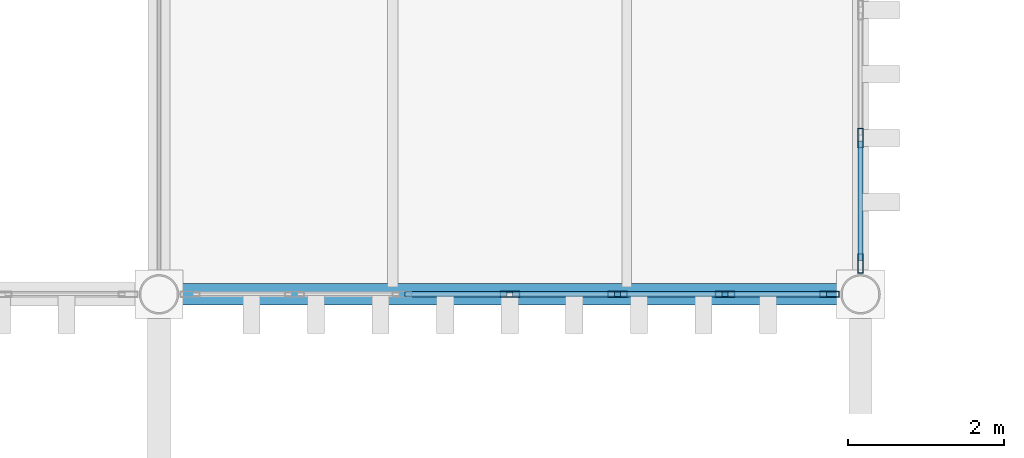
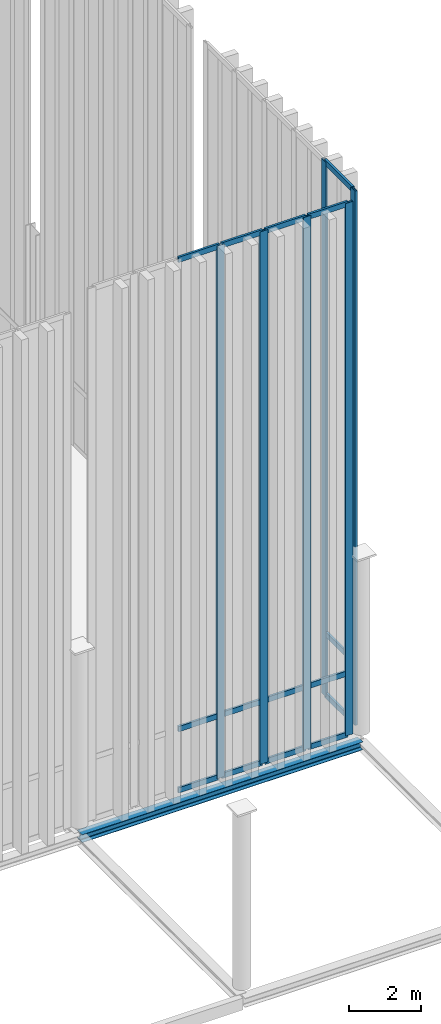
# One storey, part 47 of 237: 21 members, 1 beam, 2 elements without a shape of their own.
"""IFC4 building model written with IfcOpenShell, lengths in metres."""

from ifc_helpers import new_model, si_unit, direction, frame, origin, origin_2d, place, context, subcontext, project, spatial, hollow_rectangle, i_section, extrude, material, layer, layer_set, material_profile, profile_set, type_object, element, aggregate, save


model = new_model("IFC4")

# Units and contexts
model_context = context("Model", 3, precision=1e-05, world=origin(), true_north=direction((0.0, 1.0)))
body_context = subcontext(model_context, "Body", "Model", "MODEL_VIEW")
ifc_project = project(units=[si_unit("LENGTHUNIT", "METRE"), si_unit("AREAUNIT", "SQUARE_METRE"), si_unit("VOLUMEUNIT", "CUBIC_METRE"), si_unit("PLANEANGLEUNIT", "RADIAN"), si_unit("MASSUNIT", "GRAM", prefix="KILO")], contexts=[model_context])

# Site, building, storey
site_placement = place(None, origin())
site = spatial("IfcSite", under=ifc_project, at=site_placement, CompositionType="ELEMENT")
building_placement = place(site_placement, origin())
building = spatial("IfcBuilding", under=site, at=building_placement, Name="Barlavento Convention Centre", CompositionType="ELEMENT")
storey_placement = place(building_placement, frame((0.0, 0.0, 12.0)))
storey = spatial("IfcBuildingStorey", under=building, at=storey_placement, Name="L02", CompositionType="ELEMENT", Elevation=12.0)

# Curtain wall, members
ifc_material_1 = material(Name="Powder-coated aluminium and Low-E glass", Category="aluminium")
ifc_layer = layer(ifc_material_1, 0.18994140625)
ifc_layer_set = layer_set([ifc_layer], Name="ARC-CW-CONG-L02")
curtain_wall_type = type_object("IfcCurtainWallType", Name="ARC-CW-CONG-L02", PredefinedType="NOTDEFINED", material=ifc_layer_set)
curtain_wall_1_placement = place(storey_placement, origin())
curtain_wall_1 = element("IfcCurtainWall", 1, at=curtain_wall_1_placement, inside=storey, type_object=curtain_wall_type, Name="L02 unitised curtain wall CW02", PredefinedType="NOTDEFINED")
ifc_material_2 = material(Name="Powder-coated aluminium", Category="aluminium")
ifc_material_profile_1 = material_profile(ifc_material_2, hollow_rectangle(XDim=0.074951171875, YDim=0.25, WallThickness=0.006103515625, at=origin_2d()), Name="AL-MULL 75x250x6")
ifc_profile_set_1 = profile_set([ifc_material_profile_1], Name="Powder-coated aluminium")
member_type_1 = type_object("IfcMemberType", Name="ARC-CWM-75X250", PredefinedType="MULLION", material=ifc_profile_set_1)
member_1_placement = place(storey_placement, frame((58.5, 9.0, 0.0), z_axis=(0.0, 0.0, 1.0), x_axis=(0.0, 1.0, 0.0)))
member_1 = element("IfcMember", 2, at=member_1_placement, type_object=member_type_1, Name="CW02 mullion 4", PredefinedType="MULLION", context=body_context, shape_type="SweptSolid", body=[
    extrude(hollow_rectangle(XDim=0.074951171875, YDim=0.25, WallThickness=0.006103515625, at=origin_2d()), origin(), (0.0, 0.0, 1.0), 17.971923828125),
])
member_2_placement = place(storey_placement, frame((59.88037109375, 9.0, 0.0), z_axis=(0.0, 0.0, 1.0), x_axis=(0.0, 1.0, 0.0)))
member_2 = element("IfcMember", 3, at=member_2_placement, type_object=member_type_1, Name="CW02 mullion 5", PredefinedType="MULLION", context=body_context, shape_type="SweptSolid", body=[
    extrude(hollow_rectangle(XDim=0.074951171875, YDim=0.25, WallThickness=0.006103515625, at=origin_2d()), origin(), (0.0, 0.0, 1.0), 17.971923828125),
])
member_3_placement = place(storey_placement, frame((61.2607421875, 9.0, 0.0), z_axis=(0.0, 0.0, 1.0), x_axis=(0.0, 1.0, 0.0)))
member_3 = element("IfcMember", 4, at=member_3_placement, type_object=member_type_1, Name="CW02 mullion 6", PredefinedType="MULLION", context=body_context, shape_type="SweptSolid", body=[
    extrude(hollow_rectangle(XDim=0.074951171875, YDim=0.25, WallThickness=0.006103515625, at=origin_2d()), origin(), (0.0, 0.0, 1.0), 17.971923828125),
])
member_4_placement = place(storey_placement, frame((62.603515625, 9.0, 0.0), z_axis=(0.0, 0.0, 1.0), x_axis=(0.0, 1.0, 0.0)))
member_4 = element("IfcMember", 5, at=member_4_placement, type_object=member_type_1, Name="CW02 mullion 7", PredefinedType="MULLION", context=body_context, shape_type="SweptSolid", body=[
    extrude(hollow_rectangle(XDim=0.074951171875, YDim=0.25, WallThickness=0.006103515625, at=origin_2d()), origin(), (0.0, 0.0, 1.0), 17.971923828125),
])

curtain_wall_2_placement = place(storey_placement, origin())
curtain_wall_2 = element("IfcCurtainWall", 6, at=curtain_wall_2_placement, inside=storey, type_object=curtain_wall_type, Name="L02 unitised curtain wall CW02", PredefinedType="NOTDEFINED")
member_5_placement = place(storey_placement, frame((63.0, 9.396484375, 0.0), z_axis=(0.0, 0.0, 1.0), x_axis=(-1.0, 0.0, 0.0)))
member_5 = element("IfcMember", 7, at=member_5_placement, type_object=member_type_1, Name="CW02 mullion 1", PredefinedType="MULLION", context=body_context, shape_type="SweptSolid", body=[
    extrude(hollow_rectangle(XDim=0.074951171875, YDim=0.25, WallThickness=0.006103515625, at=origin_2d()), origin(), (0.0, 0.0, 1.0), 18.037109375),
])
member_6_placement = place(storey_placement, frame((63.0, 11.004150390625, 0.0), z_axis=(0.0, 0.0, 1.0), x_axis=(-1.0, 0.0, 0.0)))
member_6 = element("IfcMember", 8, at=member_6_placement, type_object=member_type_1, Name="CW02 mullion 2", PredefinedType="MULLION", context=body_context, shape_type="SweptSolid", body=[
    extrude(hollow_rectangle(XDim=0.074951171875, YDim=0.25, WallThickness=0.006103515625, at=origin_2d()), origin(), (0.0, 0.0, 1.0), 18.037109375),
])

# Member
ifc_material_profile_2 = material_profile(ifc_material_2, hollow_rectangle(XDim=0.070068359375, YDim=0.179931640625, WallThickness=0.0048828125, at=origin_2d()), Name="AL-TRAN 70x180x5")
ifc_profile_set_2 = profile_set([ifc_material_profile_2], Name="Powder-coated aluminium")
member_type_2 = type_object("IfcMemberType", Name="ARC-CWT-70X180", PredefinedType="USERDEFINED", material=ifc_profile_set_2)
member_7_placement = place(storey_placement, frame((57.1572265625, 9.0, 0.034912109375), z_axis=(1.0, 0.0, 0.0), x_axis=(0.0, 1.0, 0.0)))
member_7 = element("IfcMember", 9, at=member_7_placement, type_object=member_type_2, Name="CW02 transom 3.1", ObjectType="TRANSOM", PredefinedType="USERDEFINED", context=body_context, shape_type="SweptSolid", body=[
    extrude(hollow_rectangle(XDim=0.070068359375, YDim=0.179931640625, WallThickness=0.0048828125, at=origin_2d()), origin(), (0.0, 0.0, 1.0), 1.30517578125),
])

member_8_placement = place(storey_placement, frame((57.1572265625, 9.0, 2.10009765625), z_axis=(1.0, 0.0, 0.0), x_axis=(0.0, 1.0, 0.0)))
member_8 = element("IfcMember", 10, at=member_8_placement, type_object=member_type_2, Name="CW02 transom 3.2", ObjectType="TRANSOM", PredefinedType="USERDEFINED", context=body_context, shape_type="SweptSolid", body=[
    extrude(hollow_rectangle(XDim=0.070068359375, YDim=0.179931640625, WallThickness=0.0048828125, at=origin_2d()), origin(), (0.0, 0.0, 1.0), 1.30517578125),
])

member_9_placement = place(storey_placement, frame((57.1572265625, 9.0, 17.93701171875), z_axis=(1.0, 0.0, 0.0), x_axis=(0.0, 1.0, 0.0)))
member_9 = element("IfcMember", 11, at=member_9_placement, type_object=member_type_2, Name="CW02 transom 3.3", ObjectType="TRANSOM", PredefinedType="USERDEFINED", context=body_context, shape_type="SweptSolid", body=[
    extrude(hollow_rectangle(XDim=0.070068359375, YDim=0.179931640625, WallThickness=0.0048828125, at=origin_2d()), origin(), (0.0, 0.0, 1.0), 1.30517578125),
])

member_10_placement = place(storey_placement, frame((58.53759765625, 9.0, 0.034912109375), z_axis=(1.0, 0.0, 0.0), x_axis=(0.0, 1.0, 0.0)))
member_10 = element("IfcMember", 12, at=member_10_placement, type_object=member_type_2, Name="CW02 transom 4.1", ObjectType="TRANSOM", PredefinedType="USERDEFINED", context=body_context, shape_type="SweptSolid", body=[
    extrude(hollow_rectangle(XDim=0.070068359375, YDim=0.179931640625, WallThickness=0.0048828125, at=origin_2d()), origin(), (0.0, 0.0, 1.0), 1.30517578125),
])

member_11_placement = place(storey_placement, frame((58.53759765625, 9.0, 2.10009765625), z_axis=(1.0, 0.0, 0.0), x_axis=(0.0, 1.0, 0.0)))
member_11 = element("IfcMember", 13, at=member_11_placement, type_object=member_type_2, Name="CW02 transom 4.2", ObjectType="TRANSOM", PredefinedType="USERDEFINED", context=body_context, shape_type="SweptSolid", body=[
    extrude(hollow_rectangle(XDim=0.070068359375, YDim=0.179931640625, WallThickness=0.0048828125, at=origin_2d()), origin(), (0.0, 0.0, 1.0), 1.30517578125),
])

member_12_placement = place(storey_placement, frame((58.53759765625, 9.0, 17.93701171875), z_axis=(1.0, 0.0, 0.0), x_axis=(0.0, 1.0, 0.0)))
member_12 = element("IfcMember", 14, at=member_12_placement, type_object=member_type_2, Name="CW02 transom 4.3", ObjectType="TRANSOM", PredefinedType="USERDEFINED", context=body_context, shape_type="SweptSolid", body=[
    extrude(hollow_rectangle(XDim=0.070068359375, YDim=0.179931640625, WallThickness=0.0048828125, at=origin_2d()), origin(), (0.0, 0.0, 1.0), 1.30517578125),
])

member_13_placement = place(storey_placement, frame((59.917724609375, 9.0, 0.034912109375), z_axis=(1.0, 0.0, 0.0), x_axis=(0.0, 1.0, 0.0)))
member_13 = element("IfcMember", 15, at=member_13_placement, type_object=member_type_2, Name="CW02 transom 5.1", ObjectType="TRANSOM", PredefinedType="USERDEFINED", context=body_context, shape_type="SweptSolid", body=[
    extrude(hollow_rectangle(XDim=0.070068359375, YDim=0.179931640625, WallThickness=0.0048828125, at=origin_2d()), origin(), (0.0, 0.0, 1.0), 1.305419921875),
])

member_14_placement = place(storey_placement, frame((59.917724609375, 9.0, 2.10009765625), z_axis=(1.0, 0.0, 0.0), x_axis=(0.0, 1.0, 0.0)))
member_14 = element("IfcMember", 16, at=member_14_placement, type_object=member_type_2, Name="CW02 transom 5.2", ObjectType="TRANSOM", PredefinedType="USERDEFINED", context=body_context, shape_type="SweptSolid", body=[
    extrude(hollow_rectangle(XDim=0.070068359375, YDim=0.179931640625, WallThickness=0.0048828125, at=origin_2d()), origin(), (0.0, 0.0, 1.0), 1.305419921875),
])

member_15_placement = place(storey_placement, frame((59.917724609375, 9.0, 17.93701171875), z_axis=(1.0, 0.0, 0.0), x_axis=(0.0, 1.0, 0.0)))
member_15 = element("IfcMember", 17, at=member_15_placement, type_object=member_type_2, Name="CW02 transom 5.3", ObjectType="TRANSOM", PredefinedType="USERDEFINED", context=body_context, shape_type="SweptSolid", body=[
    extrude(hollow_rectangle(XDim=0.070068359375, YDim=0.179931640625, WallThickness=0.0048828125, at=origin_2d()), origin(), (0.0, 0.0, 1.0), 1.305419921875),
])

member_16_placement = place(storey_placement, frame((61.298095703125, 9.0, 0.034912109375), z_axis=(1.0, 0.0, 0.0), x_axis=(0.0, 1.0, 0.0)))
member_16 = element("IfcMember", 18, at=member_16_placement, type_object=member_type_2, Name="CW02 transom 6.1", ObjectType="TRANSOM", PredefinedType="USERDEFINED", context=body_context, shape_type="SweptSolid", body=[
    extrude(hollow_rectangle(XDim=0.070068359375, YDim=0.179931640625, WallThickness=0.0048828125, at=origin_2d()), origin(), (0.0, 0.0, 1.0), 1.267822265625),
])

member_17_placement = place(storey_placement, frame((61.298095703125, 9.0, 2.10009765625), z_axis=(1.0, 0.0, 0.0), x_axis=(0.0, 1.0, 0.0)))
member_17 = element("IfcMember", 19, at=member_17_placement, type_object=member_type_2, Name="CW02 transom 6.2", ObjectType="TRANSOM", PredefinedType="USERDEFINED", context=body_context, shape_type="SweptSolid", body=[
    extrude(hollow_rectangle(XDim=0.070068359375, YDim=0.179931640625, WallThickness=0.0048828125, at=origin_2d()), origin(), (0.0, 0.0, 1.0), 1.267822265625),
])

member_18_placement = place(storey_placement, frame((61.298095703125, 9.0, 17.93701171875), z_axis=(1.0, 0.0, 0.0), x_axis=(0.0, 1.0, 0.0)))
member_18 = element("IfcMember", 20, at=member_18_placement, type_object=member_type_2, Name="CW02 transom 6.3", ObjectType="TRANSOM", PredefinedType="USERDEFINED", context=body_context, shape_type="SweptSolid", body=[
    extrude(hollow_rectangle(XDim=0.070068359375, YDim=0.179931640625, WallThickness=0.0048828125, at=origin_2d()), origin(), (0.0, 0.0, 1.0), 1.267822265625),
])

aggregate(curtain_wall_1, [member_1, member_2, member_3, member_4, member_7, member_8, member_9, member_10, member_11, member_12, member_13, member_14, member_15, member_16, member_17, member_18])

member_19_placement = place(storey_placement, frame((63.0, 9.43408203125, 0.034912109375), z_axis=(0.0, 1.0, 0.0), x_axis=(-1.0, 0.0, 0.0)))
member_19 = element("IfcMember", 21, at=member_19_placement, type_object=member_type_2, Name="CW02 transom 1.1", ObjectType="TRANSOM", PredefinedType="USERDEFINED", context=body_context, shape_type="SweptSolid", body=[
    extrude(hollow_rectangle(XDim=0.070068359375, YDim=0.179931640625, WallThickness=0.0048828125, at=origin_2d()), origin(), (0.0, 0.0, 1.0), 1.53271484375),
])

member_20_placement = place(storey_placement, frame((63.0, 9.43408203125, 2.10009765625), z_axis=(0.0, 1.0, 0.0), x_axis=(-1.0, 0.0, 0.0)))
member_20 = element("IfcMember", 22, at=member_20_placement, type_object=member_type_2, Name="CW02 transom 1.2", ObjectType="TRANSOM", PredefinedType="USERDEFINED", context=body_context, shape_type="SweptSolid", body=[
    extrude(hollow_rectangle(XDim=0.070068359375, YDim=0.179931640625, WallThickness=0.0048828125, at=origin_2d()), origin(), (0.0, 0.0, 1.0), 1.53271484375),
])

member_21_placement = place(storey_placement, frame((63.0, 9.43408203125, 18.001953125), z_axis=(0.0, 1.0, 0.0), x_axis=(-1.0, 0.0, 0.0)))
member_21 = element("IfcMember", 23, at=member_21_placement, type_object=member_type_2, Name="CW02 transom 1.3", ObjectType="TRANSOM", PredefinedType="USERDEFINED", context=body_context, shape_type="SweptSolid", body=[
    extrude(hollow_rectangle(XDim=0.070068359375, YDim=0.179931640625, WallThickness=0.0048828125, at=origin_2d()), origin(), (0.0, 0.0, 1.0), 1.53271484375),
])

aggregate(curtain_wall_2, [member_5, member_6, member_19, member_20, member_21])

# Beam
ifc_material_3 = material(Name="Steel S355", Category="steel")
ifc_material_profile_3 = material_profile(ifc_material_3, i_section(OverallWidth=0.280029296875, OverallDepth=0.27001953125, WebThickness=0.008056640625, FlangeThickness=0.012939453125, FilletRadius=0.02392578125, at=origin_2d()), Name="HEA 280")
ifc_profile_set_3 = profile_set([ifc_material_profile_3], Name="Steel S355")
beam_type = type_object("IfcBeamType", Name="STR-BM-SPN-HEA280", PredefinedType="SPANDREL", material=ifc_profile_set_3)
beam_placement = place(storey_placement, frame((54.02001953125, 9.0, -0.43505859375), z_axis=(1.0, 0.0, 0.0), x_axis=(0.0, 1.0, 0.0)))
element("IfcBeam", 24, at=beam_placement, inside=storey, type_object=beam_type, Name="L02 primary girder SP03", PredefinedType="SPANDREL", context=body_context, shape_type="SweptSolid", body=[
    extrude(i_section(OverallWidth=0.280029296875, OverallDepth=0.27001953125, WebThickness=0.008056640625, FlangeThickness=0.012939453125, FilletRadius=0.02392578125, at=origin_2d()), origin(), (0.0, 0.0, 1.0), 8.9599609375),
])

save(model, "model.ifc")
